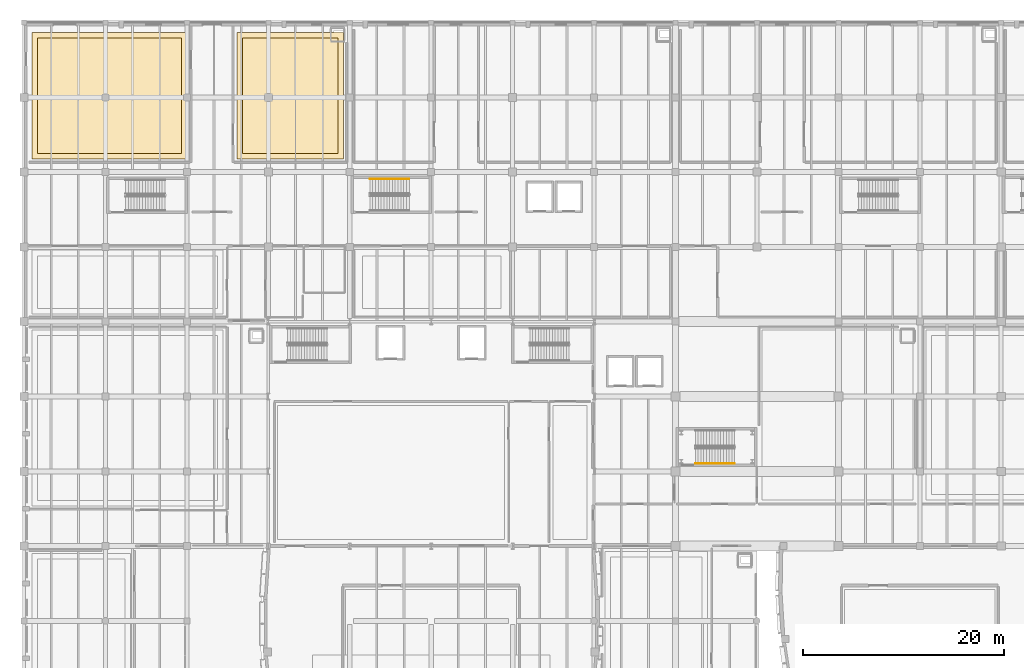
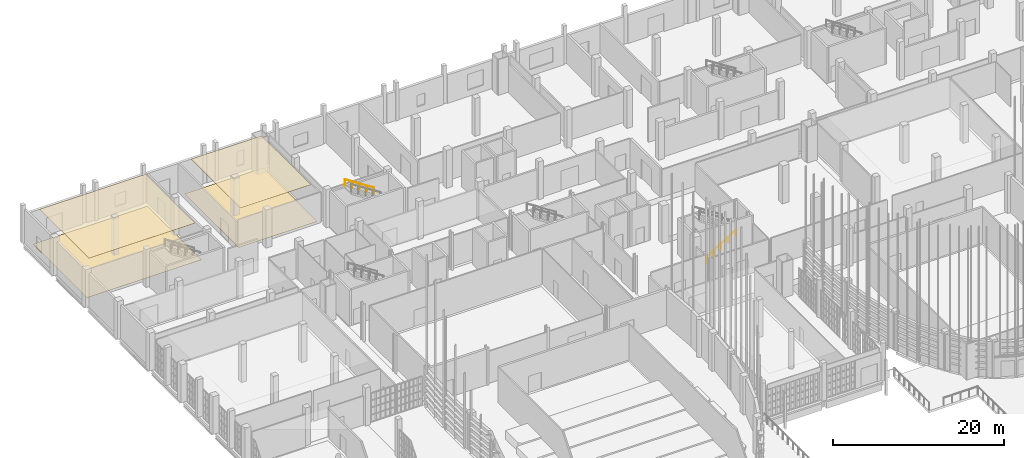
# One storey, part 367 of 372: 4 coverings, 2 railings.
"""IFC4 building model written with IfcOpenShell, lengths in metres."""

import ifcopenshell
import ifcopenshell.guid

model = None  # the IFC model being written
_history = None  # IfcOwnerHistory: only IFC2X3 demands one
_inside = {}  # id of a spatial element -> (the spatial element, [elements in it])
_under = {}  # id of a project, library or spatial element -> (it, [spatial elements below it])
_declared = {}  # id of a project -> (the project, [libraries it declares])
_typed = {}  # id of a type object -> (the type object, [elements of that type])
_made_of = {}  # id of a material, layer set ... -> (it, [elements and type objects made of it])


def new_model(schema):
    """Start an empty IFC model of exactly this schema.

    Asked for "IFC4X3", IfcOpenShell would pick the latest addendum, in which some entities
    have other attributes; the version numbers below select the first issue.
    IFC2X3 requires an IfcOwnerHistory on every rooted entity: one is made here for all.
    """
    global model, _history
    if schema == "IFC4X3":
        model = ifcopenshell.file(schema_version=(4, 3, 0, 0))
    else:
        model = ifcopenshell.file(schema=schema)
    _inside.clear()
    _under.clear()
    _declared.clear()
    _typed.clear()
    _made_of.clear()
    _history = None
    if model.schema == "IFC2X3":
        org = make("IfcOrganization", Name="unknown")
        user = make(
            "IfcPersonAndOrganization",
            ThePerson=make("IfcPerson", FamilyName="unknown"),
            TheOrganization=org,
        )
        app = make(
            "IfcApplication",
            ApplicationDeveloper=org,
            Version="unknown",
            ApplicationFullName="unknown",
            ApplicationIdentifier="unknown",
        )
        _history = make(
            "IfcOwnerHistory",
            OwningUser=user,
            OwningApplication=app,
            ChangeAction="ADDED",
            CreationDate=0,
        )
    return model


def make(cls, **values):
    """One entity of the class cls with the attributes given. An attribute that is None is left unset."""
    return model.create_entity(
        cls, **{name: value for name, value in values.items() if value is not None}
    )


def rooted(cls, **values):
    """An entity with a GlobalId (a new one), such as an element, a storey or a relation."""
    return make(cls, GlobalId=ifcopenshell.guid.new(), OwnerHistory=_history, **values)


def si_unit(unit_type, name, prefix=None):
    """IfcSIUnit, for example si_unit("LENGTHUNIT", "METRE", prefix="MILLI")."""
    return make("IfcSIUnit", UnitType=unit_type, Prefix=prefix, Name=name)


def assignment(units):
    """IfcUnitAssignment: the units of a project."""
    return None if units is None else make("IfcUnitAssignment", Units=units)


def point(xyz):
    """IfcCartesianPoint."""
    return None if xyz is None else make("IfcCartesianPoint", Coordinates=xyz)


def direction(xyz):
    """IfcDirection."""
    return None if xyz is None else make("IfcDirection", DirectionRatios=xyz)


def frame(location, z_axis=None, x_axis=None):
    """IfcAxis2Placement3D, a coordinate frame: its origin and axes. An axis left out is left unset."""
    return make(
        "IfcAxis2Placement3D",
        Location=point(location),
        Axis=direction(z_axis),
        RefDirection=direction(x_axis),
    )


def frame_2d(location, x_axis=None):
    """IfcAxis2Placement2D, a coordinate frame in the plane: its origin and x axis."""
    return make(
        "IfcAxis2Placement2D", Location=point(location), RefDirection=direction(x_axis)
    )


def origin():
    """The frame at (0, 0, 0) with its axes left unset."""
    return frame((0.0, 0.0, 0.0))


def origin_2d():
    """The frame at (0, 0) in the plane with its x axis left unset."""
    return frame_2d((0.0, 0.0))


def place(relative_to, where):
    """IfcLocalPlacement: puts the frame where relative to a parent placement (None: the world)."""
    return make(
        "IfcLocalPlacement", PlacementRelTo=relative_to, RelativePlacement=where
    )


def context(
    kind, dimensions, precision=None, world=None, true_north=None, identifier=None
):
    """IfcGeometricRepresentationContext, for example the 3D "Model" context."""
    return make(
        "IfcGeometricRepresentationContext",
        ContextIdentifier=identifier,
        ContextType=kind,
        CoordinateSpaceDimension=dimensions,
        Precision=precision,
        WorldCoordinateSystem=world,
        TrueNorth=true_north,
    )


def subcontext(parent, identifier, kind, view, scale=None):
    """IfcGeometricRepresentationSubContext, for example "Body" below "Model"."""
    return make(
        "IfcGeometricRepresentationSubContext",
        ContextIdentifier=identifier,
        ContextType=kind,
        ParentContext=parent,
        TargetScale=scale,
        TargetView=view,
    )


def project(units=None, contexts=None):
    """IfcProject with its units and contexts."""
    return rooted(
        "IfcProject",
        Name="project",
        RepresentationContexts=contexts,
        UnitsInContext=assignment(units),
    )


def spatial(cls, under=None, at=None, **own):
    """A site, building, storey or space (cls), placed at a placement, below another one or the project."""
    s = rooted(cls, ObjectPlacement=at, **own)
    if under is not None:
        _under.setdefault(under.id(), (under, []))[1].append(s)
    return s


def polyline(points):
    """IfcPolyline through the points."""
    return make("IfcPolyline", Points=[point(p) for p in points])


def profile(cls, at=None, kind="AREA", **sizes):
    """A parametric profile (cls). Its sizes go by their IFC names, for example OverallWidth=200.0."""
    return make(cls, ProfileType=kind, Position=at, **sizes)


def circle(**sizes):
    """IfcCircleProfileDef."""
    return profile("IfcCircleProfileDef", **sizes)


def outline(outer, holes=None, kind="AREA"):
    """IfcArbitraryClosedProfileDef: a profile drawn as a closed curve; with holes, ...WithVoids."""
    if holes is None:
        return make("IfcArbitraryClosedProfileDef", ProfileType=kind, OuterCurve=outer)
    return make(
        "IfcArbitraryProfileDefWithVoids",
        ProfileType=kind,
        OuterCurve=outer,
        InnerCurves=holes,
    )


def extrude(swept, where, along, depth):
    """IfcExtrudedAreaSolid: the profile swept, set in the frame where, extruded along a direction by depth."""
    return make(
        "IfcExtrudedAreaSolid",
        SweptArea=swept,
        Position=where,
        ExtrudedDirection=direction(along),
        Depth=depth,
    )


def shape(context_of_items, identifier, shape_type, items):
    """IfcShapeRepresentation: the items that make up one representation, for example the "Body"."""
    return make(
        "IfcShapeRepresentation",
        ContextOfItems=context_of_items,
        RepresentationIdentifier=identifier,
        RepresentationType=shape_type,
        Items=items,
    )


def material(Name=None, Category=None):
    """IfcMaterial."""
    return make("IfcMaterial", Name=Name, Category=Category)


def layer(
    of_material, thickness, ventilated=None, Name=None, Category=None, Priority=None
):
    """IfcMaterialLayer: one layer of a wall or slab, of a material (None: an air gap)."""
    return make(
        "IfcMaterialLayer",
        Material=of_material,
        LayerThickness=thickness,
        IsVentilated=ventilated,
        Name=Name,
        Category=Category,
        Priority=Priority,
    )


def layer_set(layers, Name=None):
    """IfcMaterialLayerSet."""
    return make("IfcMaterialLayerSet", MaterialLayers=layers, LayerSetName=Name)


def made_of(thing, what):
    """Note that an element or type object is made of a material, layer set ...; save() writes the relation."""
    if what is not None:
        _made_of.setdefault(what.id(), (what, []))[1].append(thing)
    return thing


def type_object(cls, material=None, **own):
    """A type object (cls), such as IfcWallType, which elements share."""
    return made_of(rooted(cls, **own), material)


def element(
    cls,
    number,
    at=None,
    inside=None,
    cuts=None,
    type_object=None,
    material=None,
    context=None,
    identifier="Body",
    shape_type=None,
    held_by="IfcProductDefinitionShape",
    body=None,
    shapes=None,
    **own,
):
    """One element of the class cls, such as IfcWall. Its Tag is "e" and its number.

    at: its placement. inside: the storey or other place that contains it. cuts: it is an
    opening in that element (IfcRelVoidsElement). A single representation is given by context,
    identifier, shape_type and body (its items); several are given by shapes. held_by: the class
    of the entity that holds the representations. save() writes the other relations.
    """
    e = rooted(cls, Tag="e%d" % number, ObjectPlacement=at, **own)
    if body is not None:
        shapes = [shape(context, identifier, shape_type, body)]
    if shapes is not None:
        e.Representation = make(held_by, Representations=shapes)
    if inside is not None:
        _inside.setdefault(inside.id(), (inside, []))[1].append(e)
    if cuts is not None:
        rooted(
            "IfcRelVoidsElement", RelatingBuildingElement=cuts, RelatedOpeningElement=e
        )
    if type_object is not None:
        _typed.setdefault(type_object.id(), (type_object, []))[1].append(e)
    return made_of(e, material)


def aggregate(whole, parts):
    """IfcRelAggregates: a whole, such as a stair, and the parts it consists of."""
    return rooted("IfcRelAggregates", RelatingObject=whole, RelatedObjects=parts)


def save(model, path):
    """Write the relations noted so far, then the file.

    IfcRelAggregates (storeys below a building ...), IfcRelContainedInSpatialStructure (elements
    in a storey), IfcRelDefinesByType, IfcRelAssociatesMaterial and IfcRelDeclares: one each for
    every whole, place, type object, material and project.
    """
    for whole, parts in _under.values():
        aggregate(whole, parts)
    for where, things in _inside.values():
        rooted(
            "IfcRelContainedInSpatialStructure",
            RelatedElements=things,
            RelatingStructure=where,
        )
    for kind, things in _typed.values():
        rooted("IfcRelDefinesByType", RelatedObjects=things, RelatingType=kind)
    for what, things in _made_of.values():
        rooted("IfcRelAssociatesMaterial", RelatedObjects=things, RelatingMaterial=what)
    for by, libraries in _declared.values():
        rooted("IfcRelDeclares", RelatingContext=by, RelatedDefinitions=libraries)
    model.write(path)


model = new_model("IFC4")

# Units and contexts
model_context = context("Model", 3, precision=1e-05, world=origin(), true_north=direction((0.0, 1.0)))
body_context = subcontext(model_context, "Body", "Model", "MODEL_VIEW")
ifc_project = project(units=[si_unit("LENGTHUNIT", "METRE"), si_unit("AREAUNIT", "SQUARE_METRE"), si_unit("VOLUMEUNIT", "CUBIC_METRE"), si_unit("PLANEANGLEUNIT", "RADIAN"), si_unit("MASSUNIT", "GRAM", prefix="KILO")], contexts=[model_context])

# Site, building, storey
site_placement = place(None, origin())
site = spatial("IfcSite", under=ifc_project, at=site_placement, CompositionType="ELEMENT")
building_placement = place(site_placement, origin())
building = spatial("IfcBuilding", under=site, at=building_placement, Name="Kaelora Sail Theatre", CompositionType="ELEMENT")
storey_placement = place(building_placement, origin())
storey = spatial("IfcBuildingStorey", under=building, at=storey_placement, Name="L00", CompositionType="ELEMENT", Elevation=0.0)

# Coverings
ifc_material_1 = material(Name="Micro-perforated timber acoustic reflector", Category="wood")
ifc_layer_1 = layer(ifc_material_1, 0.050048828125)
ifc_layer_set_1 = layer_set([ifc_layer_1], Name="Micro-perforated timber acoustic reflector")
covering_type_1 = type_object("IfcCoveringType", Name="ARC-COV-CLG-AC-50", PredefinedType="CEILING", material=ifc_layer_set_1)
covering_1_placement = place(storey_placement, frame((0.0, 0.0, 5.070068359375)))
element("IfcCovering", 1, at=covering_1_placement, inside=storey, type_object=covering_type_1, Name="Acoustic ceiling L00-DRESS-SOLO1", PredefinedType="CEILING", context=body_context, shape_type="SweptSolid", body=[
    extrude(outline(polyline([(2.85009765625, 100.050048828125), (17.14990234375, 100.050048828125), (17.14990234375, 111.550048828125), (2.85009765625, 111.550048828125), (2.85009765625, 100.050048828125)])), origin(), (0.0, 0.0, 1.0), 0.050048828125),
])
ifc_material_2 = material(Name="Suspended acoustic mineral-fibre ceiling", Category="gypsum")
ifc_layer_2 = layer(ifc_material_2, 0.034912109375)
ifc_layer_set_2 = layer_set([ifc_layer_2], Name="Suspended acoustic mineral-fibre ceiling")
covering_type_2 = type_object("IfcCoveringType", Name="ARC-COV-CLG-GYP-35", PredefinedType="CEILING", material=ifc_layer_set_2)
covering_2_placement = place(storey_placement, frame((0.0, 0.0, 5.0849609375)))
element("IfcCovering", 2, at=covering_2_placement, inside=storey, type_object=covering_type_2, Name="Acoustic ceiling L00-DRESS-SOLO2", PredefinedType="CEILING", context=body_context, shape_type="SweptSolid", body=[
    extrude(outline(polyline([(23.25, 100.050048828125), (32.75, 100.050048828125), (32.75, 111.550048828125), (23.25, 111.550048828125), (23.25, 100.050048828125)])), origin(), (0.0, 0.0, 1.0), 0.03515625),
])
ifc_material_3 = material(Name="Sprung West African iroko stage and dance floor", Category="timber")
ifc_layer_3 = layer(ifc_material_3, 0.028076171875)
ifc_layer_set_3 = layer_set([ifc_layer_3], Name="Sprung West African iroko stage and dance floor")
covering_type_3 = type_object("IfcCoveringType", Name="ARC-COV-FLR-OAK-28", PredefinedType="FLOORING", material=ifc_layer_set_3)
covering_3_placement = place(storey_placement, origin())
element("IfcCovering", 3, at=covering_3_placement, inside=storey, type_object=covering_type_3, Name="Architectural flooring L00-DRESS-SOLO1", PredefinedType="FLOORING", context=body_context, shape_type="SweptSolid", body=[
    extrude(outline(polyline([(2.300048828125, 99.5), (17.699951171875, 99.5), (17.699951171875, 112.10009765625), (2.300048828125, 112.10009765625), (2.300048828125, 99.5)])), origin(), (0.0, 0.0, 1.0), 0.028076171875),
])
covering_4_placement = place(storey_placement, origin())
element("IfcCovering", 4, at=covering_4_placement, inside=storey, type_object=covering_type_3, Name="Architectural flooring L00-DRESS-SOLO2", PredefinedType="FLOORING", context=body_context, shape_type="SweptSolid", body=[
    extrude(outline(polyline([(22.699951171875, 99.5), (33.300048828125, 99.5), (33.300048828125, 112.10009765625), (22.699951171875, 112.10009765625), (22.699951171875, 99.5)])), origin(), (0.0, 0.0, 1.0), 0.028076171875),
])

# Railings
ifc_material_4 = material(Name="Brushed stainless steel 316L tubular handrail", Category="steel")
railing_type = type_object("IfcRailingType", Name="ARC-RL-HND", PredefinedType="HANDRAIL", material=ifc_material_4)
railing_1_placement = place(storey_placement, frame((39.820068359375, 97.550048828125, 2.8798828125)))
element("IfcRailing", 5, at=railing_1_placement, inside=storey, type_object=railing_type, Name="L00 ST-K2 stair handrail 2", PredefinedType="HANDRAIL", context=body_context, shape_type="SweptSolid", body=[
    extrude(circle(Radius=0.02392578125, at=origin_2d()), frame((0.0, 0.0, 0.8759765625), z_axis=(-0.841186985886, 0.0, 0.540744352514), x_axis=(0.0, -1.0, 0.0)), (0.0, 0.0, 1.0), 4.660400390625),
    extrude(circle(Radius=0.02099609375, at=origin_2d()), origin(), (0.0, 0.0, 1.0), 0.851806640625),
    extrude(circle(Radius=0.02099609375, at=origin_2d()), frame((-0.97998046875, 0.0, 0.6298828125)), (0.0, 0.0, 1.0), 0.851806640625),
    extrude(circle(Radius=0.02099609375, at=origin_2d()), frame((-1.9599609375, 0.0, 1.260009765625)), (0.0, 0.0, 1.0), 0.851806640625),
    extrude(circle(Radius=0.02099609375, at=origin_2d()), frame((-2.940185546875, 0.0, 1.89013671875)), (0.0, 0.0, 1.0), 0.851806640625),
    extrude(circle(Radius=0.02099609375, at=origin_2d()), frame((-3.920166015625, 0.0, 2.52001953125)), (0.0, 0.0, 1.0), 0.851806640625),
])
railing_2_placement = place(storey_placement, frame((68.27001953125, 69.25, 0.179931640625)))
element("IfcRailing", 6, at=railing_2_placement, inside=storey, type_object=railing_type, Name="L00 ST-F1 stair handrail 1", PredefinedType="HANDRAIL", context=body_context, shape_type="SweptSolid", body=[
    extrude(circle(Radius=0.02392578125, at=origin_2d()), frame((0.0, 0.0, 0.8759765625), z_axis=(0.841171666519, 0.0, 0.540768182723), x_axis=(0.0, 1.0, 0.0)), (0.0, 0.0, 1.0), 4.66015625),
    extrude(circle(Radius=0.02099609375, at=origin_2d()), origin(), (0.0, 0.0, 1.0), 0.851806640625),
    extrude(circle(Radius=0.02099609375, at=origin_2d()), frame((0.97998046875, 0.0, 0.6298828125)), (0.0, 0.0, 1.0), 0.851806640625),
    extrude(circle(Radius=0.02099609375, at=origin_2d()), frame((1.9599609375, 0.0, 1.260009765625)), (0.0, 0.0, 1.0), 0.851806640625),
    extrude(circle(Radius=0.02099609375, at=origin_2d()), frame((2.93994140625, 0.0, 1.89013671875)), (0.0, 0.0, 1.0), 0.851806640625),
    extrude(circle(Radius=0.02099609375, at=origin_2d()), frame((3.919921875, 0.0, 2.52001953125)), (0.0, 0.0, 1.0), 0.851806640625),
])

save(model, "model.ifc")
